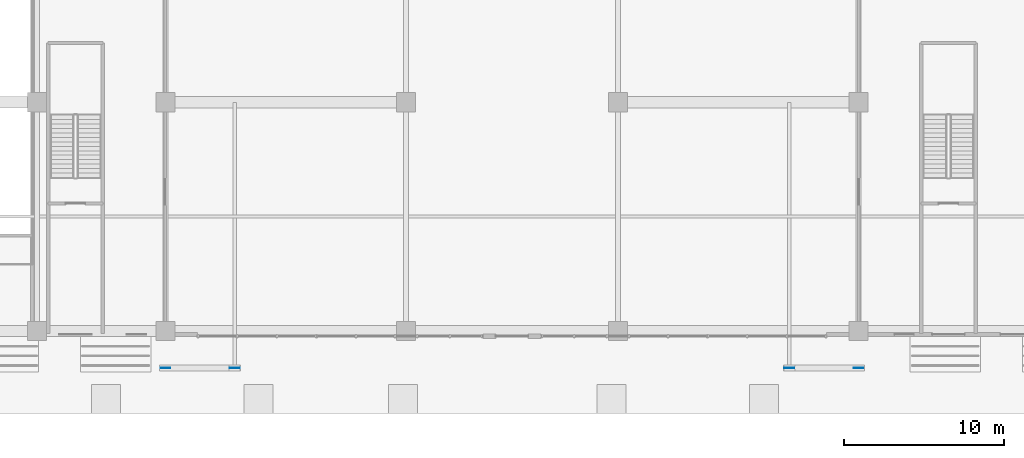
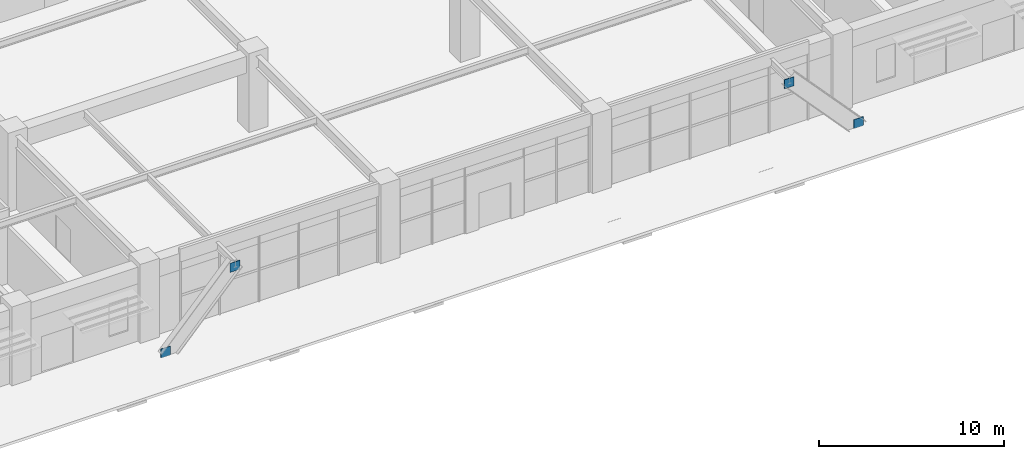
# One storey, part 32 of 40: 4 plates.
"""IFC4 building model written with IfcOpenShell, lengths in metres."""

from ifc_helpers import new_model, si_unit, direction, frame, origin, origin_2d, place, context, subcontext, project, spatial, rectangle, extrude, source, transform, mapped, material, layer, layer_set, type_object, element, save


model = new_model("IFC4")

# Units and contexts
model_context = context("Model", 3, precision=1e-05, world=origin(), true_north=direction((0.0, 1.0)))
body_context = subcontext(model_context, "Body", "Model", "MODEL_VIEW")
ifc_project = project(units=[si_unit("LENGTHUNIT", "METRE"), si_unit("AREAUNIT", "SQUARE_METRE"), si_unit("VOLUMEUNIT", "CUBIC_METRE"), si_unit("PLANEANGLEUNIT", "RADIAN"), si_unit("MASSUNIT", "GRAM", prefix="KILO")], contexts=[model_context])

# Site, building, storey
site_placement = place(None, origin())
site = spatial("IfcSite", under=ifc_project, at=site_placement, CompositionType="ELEMENT")
building_placement = place(site_placement, origin())
building = spatial("IfcBuilding", under=site, at=building_placement, Name="Trelvane Seafront Commons", CompositionType="ELEMENT")
storey_placement = place(building_placement, origin())
storey = spatial("IfcBuildingStorey", under=building, at=storey_placement, Name="L00", CompositionType="ELEMENT", Elevation=0.0)

# Plates
ifc_material = material(Name="Steel SM355 (S355)", Category="steel")
ifc_layer = layer(ifc_material, 0.031982421875, Name="STR-PLT-GUS2")
ifc_layer_set = layer_set([ifc_layer], Name="Steel SM355 (S355)")
plate_type = type_object("IfcPlateType", Name="STR-PLT-GUS2", PredefinedType="SHEET", material=ifc_layer_set)
shared_shape = source(origin(), body_context, "Body", "SweptSolid", [
    extrude(rectangle(XDim=0.60009765625, YDim=0.031982421875, at=origin_2d()), origin(), (0.0, 0.0, 1.0), 0.60009765625),
])
for number, where, z_axis, x_axis, name in (
    (1, (15.60009765625, 1.64990234375, -0.0400390625), (0.0, 0.0, 1.0), (1.0, 0.0, 0.0), "L00 Brace Connection Gusset Plate GP-143"),
    (2, (19.919921875, 1.64990234375, 4.099853515625), (0.0, 0.0, 1.0), (1.0, 0.0, 0.0), "L00 Brace Connection Gusset Plate GP-144"),
    (3, (58.800048828125, 1.64990234375, -0.0400390625), (0.0, 0.0, 1.0), (1.0, 0.0, 0.0), "L00 Brace Connection Gusset Plate GP-145"),
    (4, (54.47998046875, 1.64990234375, 4.099853515625), (0.0, 0.0, 1.0), (1.0, 0.0, 0.0), "L00 Brace Connection Gusset Plate GP-146"),
):
    element("IfcPlate", number, at=place(storey_placement, frame(where, z_axis=z_axis, x_axis=x_axis)), inside=storey, type_object=plate_type, Name=name, PredefinedType="SHEET", context=body_context, shape_type="MappedRepresentation", body=[
        mapped(shared_shape, transform((0.0, 0.0, 0.0), x_axis=(1.0, 0.0, 0.0), y_axis=(0.0, 1.0, 0.0), z_axis=(0.0, 0.0, 1.0), scale=1.0)),
    ])

save(model, "model.ifc")
